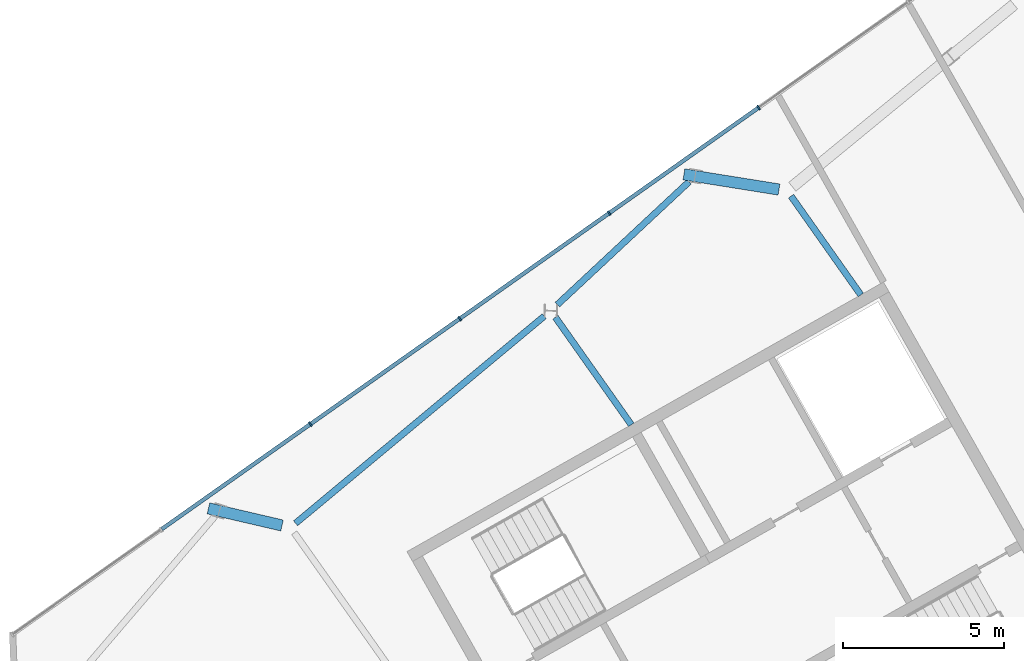
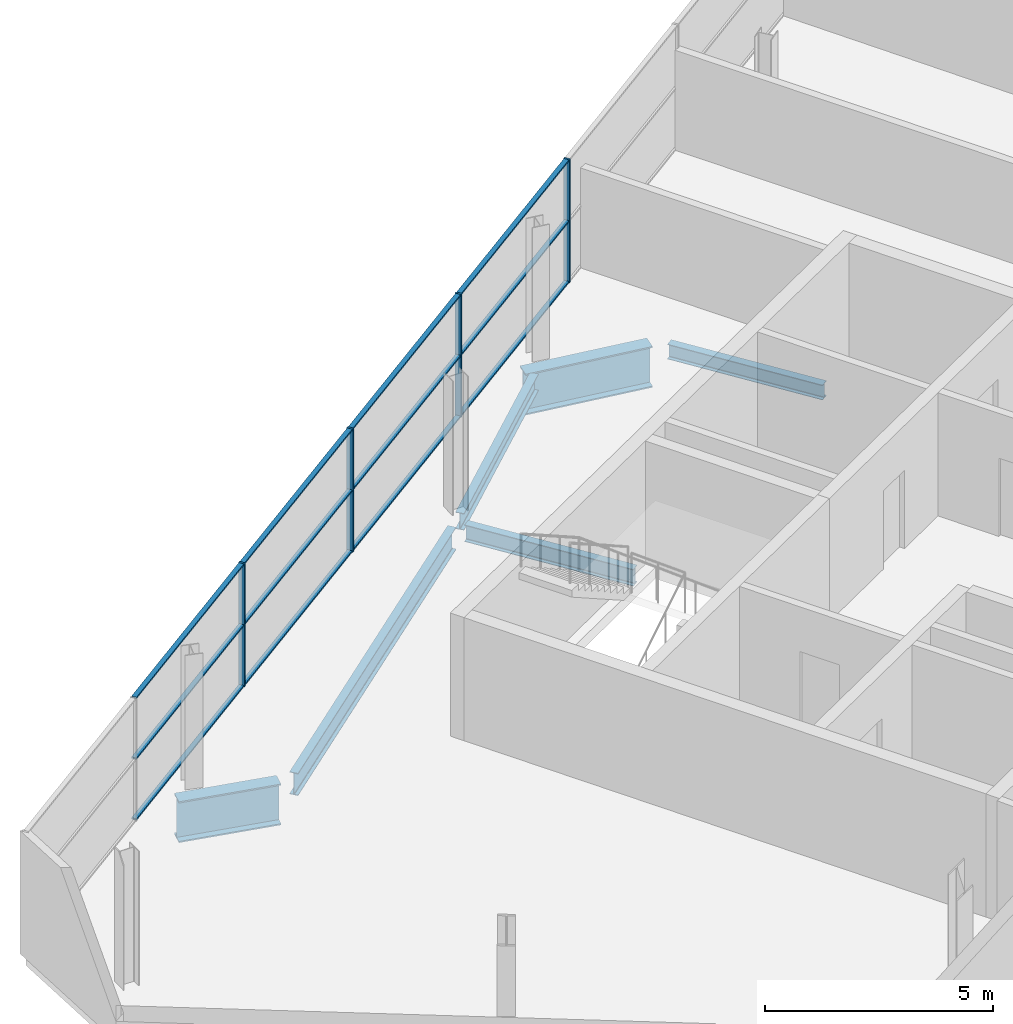
# One storey, part 5 of 11: 16 members, 6 beams, 1 element without a shape of its own.
"""IFC4 building model written with IfcOpenShell, lengths in metres."""

from ifc_helpers import new_model, si_unit, direction, frame, origin, origin_2d, place, context, subcontext, project, spatial, rectangle, i_section, extrude, material, material_profile, profile_set, type_object, element, aggregate, save


model = new_model("IFC4")

# Units and contexts
model_context = context("Model", 3, precision=1e-05, world=origin(), true_north=direction((0.0, 1.0)))
body_context = subcontext(model_context, "Body", "Model", "MODEL_VIEW")
ifc_project = project(units=[si_unit("LENGTHUNIT", "METRE"), si_unit("AREAUNIT", "SQUARE_METRE"), si_unit("VOLUMEUNIT", "CUBIC_METRE"), si_unit("PLANEANGLEUNIT", "RADIAN"), si_unit("MASSUNIT", "GRAM", prefix="KILO")], contexts=[model_context])

# Site, building, storey
site_placement = place(None, origin())
site = spatial("IfcSite", under=ifc_project, at=site_placement, CompositionType="ELEMENT")
building_placement = place(site_placement, origin())
building = spatial("IfcBuilding", under=site, at=building_placement, Name="Binnacle Exchange Tower", CompositionType="ELEMENT")
storey_placement = place(building_placement, frame((0.0, 0.0, 361.300048828125)))
storey = spatial("IfcBuildingStorey", under=building, at=storey_placement, Name="L83", CompositionType="ELEMENT", Elevation=361.300048828125)

# Curtain wall, members
ifc_material_1 = material(Name="Bronze anodised aluminium frame", Category="aluminium")
curtain_wall_type = type_object("IfcCurtainWallType", Name="External wall - curtain wall crown top", PredefinedType="NOTDEFINED", material=ifc_material_1)
curtain_wall_placement = place(storey_placement, origin())
curtain_wall = element("IfcCurtainWall", 1, at=curtain_wall_placement, inside=storey, type_object=curtain_wall_type, Name="External wall curtain wall CW6-C303 L83", PredefinedType="NOTDEFINED")
ifc_material_profile_1 = material_profile(ifc_material_1, rectangle(XDim=0.14990234375, YDim=0.050048828125, at=origin_2d()), Name="AL 50x150")
ifc_profile_set_1 = profile_set([ifc_material_profile_1], Name="Bronze anodised aluminium frame")
member_type_1 = type_object("IfcMemberType", Name="CW6 MULLION 50x150", PredefinedType="MULLION", material=ifc_profile_set_1)
member_1_placement = place(storey_placement, frame((-35.6904296875, 55.4619140625, 0.0), z_axis=(0.0, 0.0, 1.0), x_axis=(0.576854127285, -0.816847180221, 0.0)))
member_1 = element("IfcMember", 2, at=member_1_placement, type_object=member_type_1, Name="CW6-C303 mullion 5", PredefinedType="MULLION", context=body_context, shape_type="SweptSolid", body=[
    extrude(rectangle(XDim=0.14990234375, YDim=0.050048828125, at=origin_2d()), origin(), (0.0, 0.0, 1.0), 3.300048828125),
])
member_2_placement = place(storey_placement, frame((-40.329833984375, 52.185546875, 0.0), z_axis=(0.0, 0.0, 1.0), x_axis=(0.576854127285, -0.816847180221, 0.0)))
member_2 = element("IfcMember", 3, at=member_2_placement, type_object=member_type_1, Name="CW6-C303 mullion 6", PredefinedType="MULLION", context=body_context, shape_type="SweptSolid", body=[
    extrude(rectangle(XDim=0.14990234375, YDim=0.050048828125, at=origin_2d()), origin(), (0.0, 0.0, 1.0), 3.300048828125),
])
member_3_placement = place(storey_placement, frame((-44.969482421875, 48.9091796875, 0.0), z_axis=(0.0, 0.0, 1.0), x_axis=(0.576854127285, -0.816847180221, 0.0)))
member_3 = element("IfcMember", 4, at=member_3_placement, type_object=member_type_1, Name="CW6-C303 mullion 7", PredefinedType="MULLION", context=body_context, shape_type="SweptSolid", body=[
    extrude(rectangle(XDim=0.14990234375, YDim=0.050048828125, at=origin_2d()), origin(), (0.0, 0.0, 1.0), 3.300048828125),
])
member_4_placement = place(storey_placement, frame((-49.60888671875, 45.6328125, 0.0), z_axis=(0.0, 0.0, 1.0), x_axis=(0.576854127285, -0.816847180221, 0.0)))
member_4 = element("IfcMember", 5, at=member_4_placement, type_object=member_type_1, Name="CW6-C303 mullion 8", PredefinedType="MULLION", context=body_context, shape_type="SweptSolid", body=[
    extrude(rectangle(XDim=0.14990234375, YDim=0.050048828125, at=origin_2d()), origin(), (0.0, 0.0, 1.0), 3.300048828125),
])
ifc_material_profile_2 = material_profile(ifc_material_1, rectangle(XDim=0.1201171875, YDim=0.0400390625, at=origin_2d()), Name="AL 120x40")
ifc_profile_set_2 = profile_set([ifc_material_profile_2], Name="Bronze anodised aluminium frame")
member_type_2 = type_object("IfcMemberType", Name="CW6 TRANSOM 40x120", PredefinedType="USERDEFINED", material=ifc_profile_set_2)
member_5_placement = place(storey_placement, frame((-35.710693359375, 55.447509765625, 0.02001953125), z_axis=(-0.816859687673, -0.576836415853, 0.0), x_axis=(0.576836415853, -0.816859687673, 0.0)))
member_5 = element("IfcMember", 6, at=member_5_placement, type_object=member_type_2, Name="CW6-C303 transom 5.1", ObjectType="TRANSOM", PredefinedType="USERDEFINED", context=body_context, shape_type="SweptSolid", body=[
    extrude(rectangle(XDim=0.1201171875, YDim=0.0400390625, at=origin_2d()), origin(), (0.0, 0.0, 1.0), 5.6298828125),
])
member_6_placement = place(storey_placement, frame((-35.710693359375, 55.447509765625, 1.64990234375), z_axis=(-0.816859687673, -0.576836415853, 0.0), x_axis=(0.576836415853, -0.816859687673, 0.0)))
member_6 = element("IfcMember", 7, at=member_6_placement, type_object=member_type_2, Name="CW6-C303 transom 5.2", ObjectType="TRANSOM", PredefinedType="USERDEFINED", context=body_context, shape_type="SweptSolid", body=[
    extrude(rectangle(XDim=0.1201171875, YDim=0.0400390625, at=origin_2d()), origin(), (0.0, 0.0, 1.0), 5.6298828125),
])
member_7_placement = place(storey_placement, frame((-35.710693359375, 55.447509765625, 3.280029296875), z_axis=(-0.816859687673, -0.576836415853, 0.0), x_axis=(0.576836415853, -0.816859687673, 0.0)))
member_7 = element("IfcMember", 8, at=member_7_placement, type_object=member_type_2, Name="CW6-C303 transom 5.3", ObjectType="TRANSOM", PredefinedType="USERDEFINED", context=body_context, shape_type="SweptSolid", body=[
    extrude(rectangle(XDim=0.1201171875, YDim=0.0400390625, at=origin_2d()), origin(), (0.0, 0.0, 1.0), 5.6298828125),
])
member_8_placement = place(storey_placement, frame((-40.350341796875, 52.171142578125, 0.02001953125), z_axis=(-0.816845257746, -0.576856849572, 0.0), x_axis=(0.576856849572, -0.816845257746, 0.0)))
member_8 = element("IfcMember", 9, at=member_8_placement, type_object=member_type_2, Name="CW6-C303 transom 6.1", ObjectType="TRANSOM", PredefinedType="USERDEFINED", context=body_context, shape_type="SweptSolid", body=[
    extrude(rectangle(XDim=0.1201171875, YDim=0.0400390625, at=origin_2d()), origin(), (0.0, 0.0, 1.0), 5.629638671875),
])
member_9_placement = place(storey_placement, frame((-40.350341796875, 52.171142578125, 1.64990234375), z_axis=(-0.816845257746, -0.576856849572, 0.0), x_axis=(0.576856849572, -0.816845257746, 0.0)))
member_9 = element("IfcMember", 10, at=member_9_placement, type_object=member_type_2, Name="CW6-C303 transom 6.2", ObjectType="TRANSOM", PredefinedType="USERDEFINED", context=body_context, shape_type="SweptSolid", body=[
    extrude(rectangle(XDim=0.1201171875, YDim=0.0400390625, at=origin_2d()), origin(), (0.0, 0.0, 1.0), 5.629638671875),
])
member_10_placement = place(storey_placement, frame((-40.350341796875, 52.171142578125, 3.280029296875), z_axis=(-0.816845257746, -0.576856849572, 0.0), x_axis=(0.576856849572, -0.816845257746, 0.0)))
member_10 = element("IfcMember", 11, at=member_10_placement, type_object=member_type_2, Name="CW6-C303 transom 6.3", ObjectType="TRANSOM", PredefinedType="USERDEFINED", context=body_context, shape_type="SweptSolid", body=[
    extrude(rectangle(XDim=0.1201171875, YDim=0.0400390625, at=origin_2d()), origin(), (0.0, 0.0, 1.0), 5.629638671875),
])
member_11_placement = place(storey_placement, frame((-44.989990234375, 48.894775390625, 0.02001953125), z_axis=(-0.816845257746, -0.576856849572, 0.0), x_axis=(0.576856849572, -0.816845257746, 0.0)))
member_11 = element("IfcMember", 12, at=member_11_placement, type_object=member_type_2, Name="CW6-C303 transom 7.1", ObjectType="TRANSOM", PredefinedType="USERDEFINED", context=body_context, shape_type="SweptSolid", body=[
    extrude(rectangle(XDim=0.1201171875, YDim=0.0400390625, at=origin_2d()), origin(), (0.0, 0.0, 1.0), 5.629638671875),
])
member_12_placement = place(storey_placement, frame((-44.989990234375, 48.894775390625, 1.64990234375), z_axis=(-0.816845257746, -0.576856849572, 0.0), x_axis=(0.576856849572, -0.816845257746, 0.0)))
member_12 = element("IfcMember", 13, at=member_12_placement, type_object=member_type_2, Name="CW6-C303 transom 7.2", ObjectType="TRANSOM", PredefinedType="USERDEFINED", context=body_context, shape_type="SweptSolid", body=[
    extrude(rectangle(XDim=0.1201171875, YDim=0.0400390625, at=origin_2d()), origin(), (0.0, 0.0, 1.0), 5.629638671875),
])
member_13_placement = place(storey_placement, frame((-44.989990234375, 48.894775390625, 3.280029296875), z_axis=(-0.816845257746, -0.576856849572, 0.0), x_axis=(0.576856849572, -0.816845257746, 0.0)))
member_13 = element("IfcMember", 14, at=member_13_placement, type_object=member_type_2, Name="CW6-C303 transom 7.3", ObjectType="TRANSOM", PredefinedType="USERDEFINED", context=body_context, shape_type="SweptSolid", body=[
    extrude(rectangle(XDim=0.1201171875, YDim=0.0400390625, at=origin_2d()), origin(), (0.0, 0.0, 1.0), 5.629638671875),
])
member_14_placement = place(storey_placement, frame((-49.62939453125, 45.618408203125, 0.02001953125), z_axis=(-0.816845257746, -0.576856849572, 0.0), x_axis=(0.576856849572, -0.816845257746, 0.0)))
member_14 = element("IfcMember", 15, at=member_14_placement, type_object=member_type_2, Name="CW6-C303 transom 8.1", ObjectType="TRANSOM", PredefinedType="USERDEFINED", context=body_context, shape_type="SweptSolid", body=[
    extrude(rectangle(XDim=0.1201171875, YDim=0.0400390625, at=origin_2d()), origin(), (0.0, 0.0, 1.0), 5.629638671875),
])
member_15_placement = place(storey_placement, frame((-49.62939453125, 45.618408203125, 1.64990234375), z_axis=(-0.816845257746, -0.576856849572, 0.0), x_axis=(0.576856849572, -0.816845257746, 0.0)))
member_15 = element("IfcMember", 16, at=member_15_placement, type_object=member_type_2, Name="CW6-C303 transom 8.2", ObjectType="TRANSOM", PredefinedType="USERDEFINED", context=body_context, shape_type="SweptSolid", body=[
    extrude(rectangle(XDim=0.1201171875, YDim=0.0400390625, at=origin_2d()), origin(), (0.0, 0.0, 1.0), 5.629638671875),
])
member_16_placement = place(storey_placement, frame((-49.62939453125, 45.618408203125, 3.280029296875), z_axis=(-0.816845257746, -0.576856849572, 0.0), x_axis=(0.576856849572, -0.816845257746, 0.0)))
member_16 = element("IfcMember", 17, at=member_16_placement, type_object=member_type_2, Name="CW6-C303 transom 8.3", ObjectType="TRANSOM", PredefinedType="USERDEFINED", context=body_context, shape_type="SweptSolid", body=[
    extrude(rectangle(XDim=0.1201171875, YDim=0.0400390625, at=origin_2d()), origin(), (0.0, 0.0, 1.0), 5.629638671875),
])
aggregate(curtain_wall, [member_1, member_2, member_3, member_4, member_5, member_6, member_7, member_8, member_9, member_10, member_11, member_12, member_13, member_14, member_15, member_16])

# Beams
ifc_material_2 = material(Name="Steel S355 (SHN355)", Category="steel")
ifc_material_profile_3 = material_profile(ifc_material_2, i_section(OverallWidth=0.199951171875, OverallDepth=0.449951171875, WebThickness=0.009033203125, FlangeThickness=0.013916015625, FilletRadius=0.01806640625, at=origin_2d()), Name="H 450x200x9x14")
ifc_profile_set_3 = profile_set([ifc_material_profile_3], Name="Steel S355 (SHN355)")
beam_type_1 = type_object("IfcBeamType", Name="Edge girder H 450x200x9x14 Steel S355 (SHN355)", PredefinedType="SPANDREL", material=ifc_profile_set_3)
beam_1_placement = place(storey_placement, frame((-37.849365234375, 53.160888671875, -0.525146484375), z_axis=(-0.731114744956, -0.682254519742, 0.0), x_axis=(0.682254519742, -0.731114744956, 0.0)))
element("IfcBeam", 18, at=beam_1_placement, inside=storey, type_object=beam_type_1, Name="S:BM:edge:L83:016", PredefinedType="SPANDREL", context=body_context, shape_type="SweptSolid", body=[
    extrude(i_section(OverallWidth=0.199951171875, OverallDepth=0.449951171875, WebThickness=0.009033203125, FlangeThickness=0.013916015625, FilletRadius=0.01806640625, at=origin_2d()), origin(), (0.0, 0.0, 1.0), 5.596435546875),
])
ifc_material_profile_4 = material_profile(ifc_material_2, i_section(OverallWidth=0.199951171875, OverallDepth=0.60009765625, WebThickness=0.010986328125, FlangeThickness=0.01708984375, FilletRadius=0.02197265625, at=origin_2d()), Name="H 600x200x11x17")
ifc_profile_set_4 = profile_set([ifc_material_profile_4], Name="Steel S355 (SHN355)")
beam_type_2 = type_object("IfcBeamType", Name="Edge girder H 600x200x11x17 Steel S355 (SHN355)", PredefinedType="SPANDREL", material=ifc_profile_set_4)
beam_2_placement = place(storey_placement, frame((-42.347412109375, 48.98388671875, -0.60009765625), z_axis=(-0.768448235028, -0.639911954946, 0.0), x_axis=(0.639911954946, -0.768448235028, 0.0)))
element("IfcBeam", 19, at=beam_2_placement, inside=storey, type_object=beam_type_2, Name="S:BM:edge:L83:014", PredefinedType="SPANDREL", context=body_context, shape_type="SweptSolid", body=[
    extrude(i_section(OverallWidth=0.199951171875, OverallDepth=0.60009765625, WebThickness=0.010986328125, FlangeThickness=0.01708984375, FilletRadius=0.02197265625, at=origin_2d()), origin(), (0.0, 0.0, 1.0), 10.049560546875),
])
ifc_material_profile_5 = material_profile(ifc_material_2, i_section(OverallWidth=0.199951171875, OverallDepth=0.39990234375, WebThickness=0.008056640625, FlangeThickness=0.012939453125, FilletRadius=0.01611328125, at=origin_2d()), Name="H 400x200x8x13")
ifc_profile_set_5 = profile_set([ifc_material_profile_5], Name="Steel S355 (SHN355)")
beam_type_3 = type_object("IfcBeamType", Name="Floor beam H 400x200x8x13 Steel S355 (SHN355)", PredefinedType="BEAM", material=ifc_profile_set_5)
beam_3_placement = place(storey_placement, frame((-34.6826171875, 52.711669921875, -0.5), z_axis=(0.576892563963, -0.816820035041, 0.0), x_axis=(0.816820035041, 0.576892563963, 0.0)))
element("IfcBeam", 20, at=beam_3_placement, inside=storey, type_object=beam_type_3, Name="S:BM:cross:L83:023", PredefinedType="BEAM", context=body_context, shape_type="SweptSolid", body=[
    extrude(i_section(OverallWidth=0.199951171875, OverallDepth=0.39990234375, WebThickness=0.008056640625, FlangeThickness=0.012939453125, FilletRadius=0.01611328125, at=origin_2d()), origin(), (0.0, 0.0, 1.0), 3.753662109375),
])
ifc_material_profile_6 = material_profile(ifc_material_2, i_section(OverallWidth=0.199951171875, OverallDepth=0.449951171875, WebThickness=0.009033203125, FlangeThickness=0.013916015625, FilletRadius=0.01806640625, at=origin_2d()), Name="H 450x200x9x14")
ifc_profile_set_6 = profile_set([ifc_material_profile_6], Name="Steel S355 (SHN355)")
beam_type_4 = type_object("IfcBeamType", Name="Floor beam H 450x200x9x14 Steel S355 (SHN355)", PredefinedType="BEAM", material=ifc_profile_set_6)
beam_4_placement = place(storey_placement, frame((-42.001220703125, 48.950439453125, -0.525146484375), z_axis=(0.576838015969, -0.816858557728, 0.0), x_axis=(0.816858557728, 0.576838015969, 0.0)))
element("IfcBeam", 21, at=beam_4_placement, inside=storey, type_object=beam_type_4, Name="S:BM:cross:L83:021", PredefinedType="BEAM", context=body_context, shape_type="SweptSolid", body=[
    extrude(i_section(OverallWidth=0.199951171875, OverallDepth=0.449951171875, WebThickness=0.009033203125, FlangeThickness=0.013916015625, FilletRadius=0.01806640625, at=origin_2d()), origin(), (0.0, 0.0, 1.0), 4.0859375),
])
ifc_material_3 = material(Name="Steel S355 (SM355)", Category="steel")
ifc_material_profile_7 = material_profile(ifc_material_3, i_section(OverallWidth=0.35009765625, OverallDepth=1.10009765625, WebThickness=0.02001953125, FlangeThickness=0.035888671875, at=origin_2d()), Name="BH 1100x350x20x36")
ifc_profile_set_7 = profile_set([ifc_material_profile_7], Name="Steel S355 (SM355)")
beam_type_5 = type_object("IfcBeamType", Name="Transfer girder BH 1100x350x20x36 Steel S355 (SM355)", PredefinedType="BEAM", material=ifc_profile_set_7)
beam_5_placement = place(storey_placement, frame((-50.49072265625, 42.484375, -0.85009765625), z_axis=(-0.97401977333, 0.226462979674, 0.0), x_axis=(-0.226462979674, -0.97401977333, 0.0)))
element("IfcBeam", 22, at=beam_5_placement, inside=storey, type_object=beam_type_5, Name="S:BM:transfer:L83:001", PredefinedType="BEAM", context=body_context, shape_type="SweptSolid", body=[
    extrude(i_section(OverallWidth=0.35009765625, OverallDepth=1.10009765625, WebThickness=0.02001953125, FlangeThickness=0.035888671875, at=origin_2d()), origin(), (0.0, 0.0, 1.0), 2.345947265625),
])
beam_6_placement = place(storey_placement, frame((-35.057861328125, 52.9169921875, -0.85009765625), z_axis=(-0.987460499878, 0.15786627626, 0.0), x_axis=(-0.15786627626, -0.987460499878, 0.0)))
element("IfcBeam", 23, at=beam_6_placement, inside=storey, type_object=beam_type_5, Name="S:BM:transfer:L83:002", PredefinedType="BEAM", context=body_context, shape_type="SweptSolid", body=[
    extrude(i_section(OverallWidth=0.35009765625, OverallDepth=1.10009765625, WebThickness=0.02001953125, FlangeThickness=0.035888671875, at=origin_2d()), origin(), (0.0, 0.0, 1.0), 2.989501953125),
])

save(model, "model.ifc")
